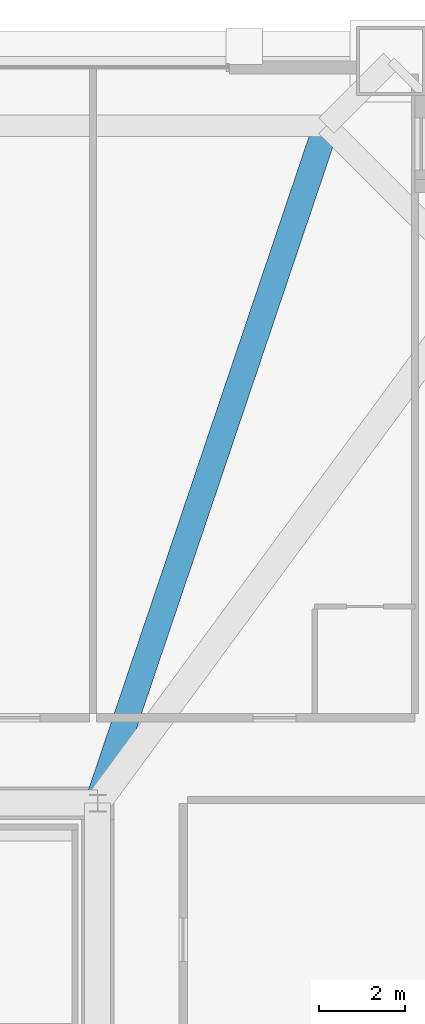
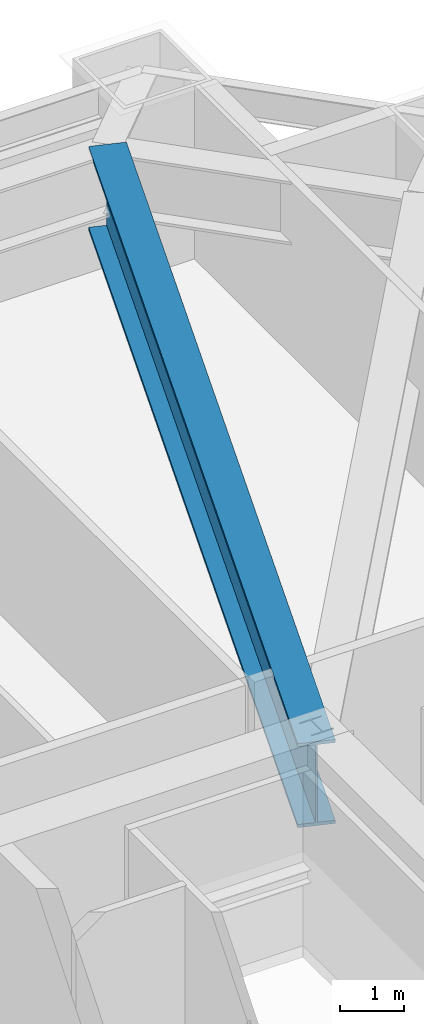
# One storey, part 33 of 45: 1 beam.
"""IFC4 building model written with IfcOpenShell, lengths in metres."""

from ifc_helpers import new_model, si_unit, direction, frame, origin, origin_2d, place, context, subcontext, project, spatial, i_section, extrude, source, transform, mapped, material, material_profile, profile_set, type_object, element, save


model = new_model("IFC4")

# Units and contexts
model_context = context("Model", 3, precision=1e-05, world=origin(), true_north=direction((0.0, 1.0)))
body_context = subcontext(model_context, "Body", "Model", "MODEL_VIEW")
ifc_project = project(units=[si_unit("LENGTHUNIT", "METRE"), si_unit("AREAUNIT", "SQUARE_METRE"), si_unit("VOLUMEUNIT", "CUBIC_METRE"), si_unit("PLANEANGLEUNIT", "RADIAN"), si_unit("MASSUNIT", "GRAM", prefix="KILO"), si_unit("THERMODYNAMICTEMPERATUREUNIT", "KELVIN"), si_unit("POWERUNIT", "WATT")], contexts=[model_context])

# Site, building, storey
site_placement = place(None, origin())
site = spatial("IfcSite", under=ifc_project, at=site_placement, CompositionType="ELEMENT")
building_placement = place(site_placement, origin())
building = spatial("IfcBuilding", under=site, at=building_placement, Name="Yuzanri Waterfront Tower", CompositionType="ELEMENT")
storey_placement = place(building_placement, frame((0.0, 0.0, 163.199951171875)))
storey = spatial("IfcBuildingStorey", under=building, at=storey_placement, Name="L43", CompositionType="ELEMENT", Elevation=163.199951171875)

# Beam
ifc_material = material(Name="Steel Q420GJC", Category="steel")
ifc_material_profile = material_profile(ifc_material, i_section(OverallWidth=0.60009765625, OverallDepth=1.60009765625, WebThickness=0.031982421875, FlangeThickness=0.06005859375, at=origin_2d()), Name="PG 1600x600x32x60")
ifc_profile_set = profile_set([ifc_material_profile], Name="Steel Q420GJC")
beam_type = type_object("IfcBeamType", Name="Ballroom Transfer Girder Q420GJC PG 1600x600", PredefinedType="USERDEFINED", material=ifc_profile_set)
shared_shape = source(origin(), body_context, "Body", "SweptSolid", [
    extrude(i_section(OverallWidth=0.60009765625, OverallDepth=1.60009765625, WebThickness=0.031982421875, FlangeThickness=0.06005859375, at=origin_2d()), origin(), (0.0, 0.0, 1.0), 16.5703125),
])
beam_placement = place(storey_placement, frame((50.199951171875, 32.199951171875, 2.5), z_axis=(0.319849903127, 0.9474682261, 0.0), x_axis=(-0.9474682261, 0.319849903127, 0.0)))
element("IfcBeam", 1, at=beam_placement, inside=storey, type_object=beam_type, Name="L43 Setback Inner Transfer N3", ObjectType="GIRDER", PredefinedType="USERDEFINED", context=body_context, shape_type="MappedRepresentation", body=[
    mapped(shared_shape, transform((0.0, 0.0, 0.0), scale=1.0)),
])

save(model, "model.ifc")
